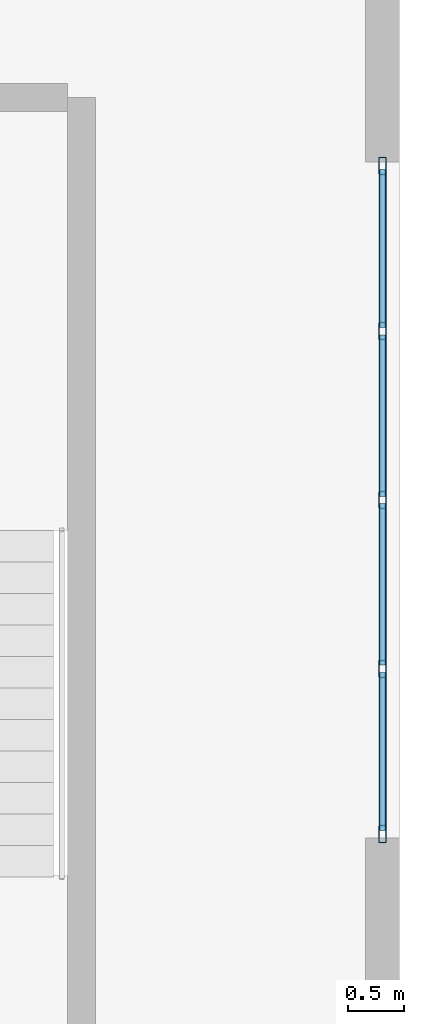
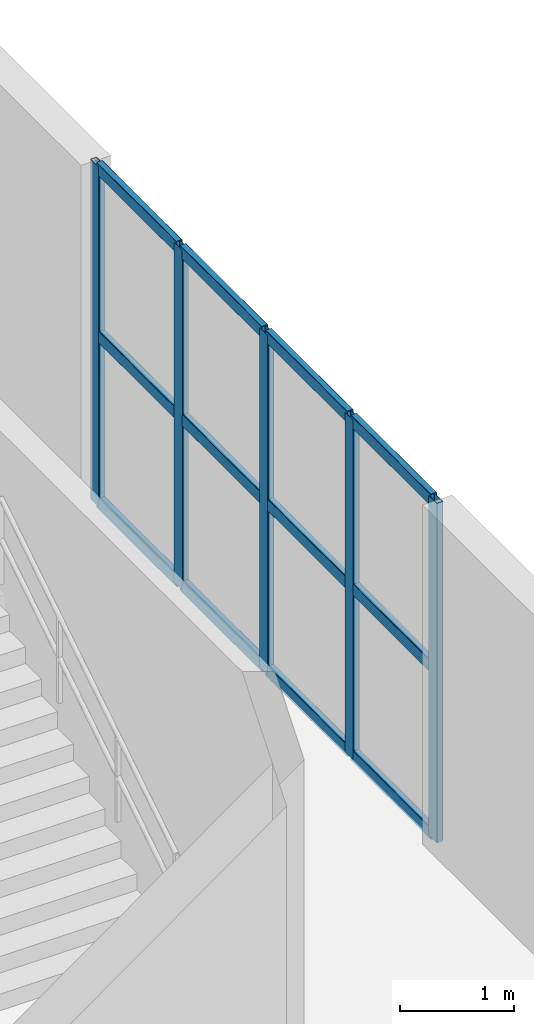
# One storey, part 2 of 6: 17 members, 1 element without a shape of its own.
"""IFC4 building model written with IfcOpenShell, lengths in metres."""

from ifc_helpers import new_model, entity, si_unit, converted_unit, direction, frame, origin_with_axes, origin_2d_with_axis, place, context, subcontext, project, spatial, hollow_rectangle, extrude, material, material_profile, profile_set, type_object, element, aggregate, save


model = new_model("IFC4")

# Units and contexts
model_context = context("Model", 3, precision=1e-05, world=origin_with_axes(), true_north=direction((0.0, 1.0)))
body_context = subcontext(model_context, "Body", "Model", "MODEL_VIEW")
ifc_project = project(units=[si_unit("LENGTHUNIT", "METRE"), si_unit("AREAUNIT", "SQUARE_METRE"), si_unit("VOLUMEUNIT", "CUBIC_METRE"), converted_unit("PLANEANGLEUNIT", "DEGREE", entity("IfcPlaneAngleMeasure", 0.017453292519943295), si_unit("PLANEANGLEUNIT", "RADIAN"), dimensions=[0, 0, 0, 0, 0, 0, 0]), si_unit("MASSUNIT", "GRAM", prefix="KILO"), si_unit("THERMODYNAMICTEMPERATUREUNIT", "KELVIN")], contexts=[model_context])

# Site, building, storey
site_placement = place(None, origin_with_axes())
site = spatial("IfcSite", under=ifc_project, at=site_placement, CompositionType="ELEMENT")
building_placement = place(site_placement, origin_with_axes())
building = spatial("IfcBuilding", under=site, at=building_placement, Name="Varnlund Millrace Tower", CompositionType="ELEMENT")
storey_placement = place(building_placement, frame((0.0, 0.0, 324.3), z_axis=(0.0, 0.0, 1.0), x_axis=(1.0, 0.0, 0.0)))
storey = spatial("IfcBuildingStorey", under=building, at=storey_placement, Name="L80", CompositionType="ELEMENT", Elevation=324.3)

# Curtain wall, members
ifc_material_1 = material(Name="Thermally broken architectural bronze curtain wall", Category="aluminium")
curtain_wall_type = type_object("IfcCurtainWallType", Name="Type-CW-Sys7-CrownLantern", PredefinedType="NOTDEFINED", material=ifc_material_1)
curtain_wall_placement = place(storey_placement, frame((30.45, 37.0, 0.0), z_axis=(0.0, 0.0, 1.0), x_axis=(1.0, 0.0, 0.0)))
curtain_wall = element("IfcCurtainWall", 1, at=curtain_wall_placement, inside=storey, type_object=curtain_wall_type, Name="Type-CW-Sys7-CrownLantern", PredefinedType="NOTDEFINED")
ifc_material_2 = material(Name="Architectural bronze aluminium alloy 6063-T6", Category="aluminium")
ifc_material_profile_1 = material_profile(ifc_material_2, hollow_rectangle(XDim=0.065, YDim=0.155, WallThickness=0.0045, InnerFilletRadius=0.004, OuterFilletRadius=0.009, at=origin_2d_with_axis()), Name="Architectural bronze aluminium alloy 6063-T6")
ifc_profile_set_1 = profile_set([ifc_material_profile_1], Name="Architectural bronze aluminium alloy 6063-T6")
member_type_1 = type_object("IfcMemberType", Name="Type-CW-Mullion-65X155", PredefinedType="MULLION", material=ifc_profile_set_1)
member_1_placement = place(storey_placement, frame((30.45, 36.9675, 0.0), z_axis=(0.0, 0.0, 1.0), x_axis=(1.0, 0.0, 0.0)))
member_1 = element("IfcMember", 2, at=member_1_placement, type_object=member_type_1, Name="CW-07 mullion 1", PredefinedType="MULLION", context=body_context, shape_type="SweptSolid", body=[
    extrude(hollow_rectangle(XDim=0.065, YDim=0.155, WallThickness=0.0045, InnerFilletRadius=0.004, OuterFilletRadius=0.009, at=origin_2d_with_axis()), origin_with_axes(), (0.0, 0.0, 1.0), 3.64),
])
member_2_placement = place(storey_placement, frame((30.45, 35.5, 0.0), z_axis=(0.0, 0.0, 1.0), x_axis=(1.0, 0.0, 0.0)))
member_2 = element("IfcMember", 3, at=member_2_placement, type_object=member_type_1, Name="CW-07 mullion 2", PredefinedType="MULLION", context=body_context, shape_type="SweptSolid", body=[
    extrude(hollow_rectangle(XDim=0.065, YDim=0.155, WallThickness=0.0045, InnerFilletRadius=0.004, OuterFilletRadius=0.009, at=origin_2d_with_axis()), origin_with_axes(), (0.0, 0.0, 1.0), 3.64),
])
member_3_placement = place(storey_placement, frame((30.45, 34.0, 0.0), z_axis=(0.0, 0.0, 1.0), x_axis=(1.0, 0.0, 0.0)))
member_3 = element("IfcMember", 4, at=member_3_placement, type_object=member_type_1, Name="CW-07 mullion 3", PredefinedType="MULLION", context=body_context, shape_type="SweptSolid", body=[
    extrude(hollow_rectangle(XDim=0.065, YDim=0.155, WallThickness=0.0045, InnerFilletRadius=0.004, OuterFilletRadius=0.009, at=origin_2d_with_axis()), origin_with_axes(), (0.0, 0.0, 1.0), 3.64),
])
member_4_placement = place(storey_placement, frame((30.45, 32.5, 0.0), z_axis=(0.0, 0.0, 1.0), x_axis=(1.0, 0.0, 0.0)))
member_4 = element("IfcMember", 5, at=member_4_placement, type_object=member_type_1, Name="CW-07 mullion 4", PredefinedType="MULLION", context=body_context, shape_type="SweptSolid", body=[
    extrude(hollow_rectangle(XDim=0.065, YDim=0.155, WallThickness=0.0045, InnerFilletRadius=0.004, OuterFilletRadius=0.009, at=origin_2d_with_axis()), origin_with_axes(), (0.0, 0.0, 1.0), 3.64),
])
member_5_placement = place(storey_placement, frame((30.45, 31.0325, 0.0), z_axis=(0.0, 0.0, 1.0), x_axis=(1.0, 0.0, 0.0)))
member_5 = element("IfcMember", 6, at=member_5_placement, type_object=member_type_1, Name="CW-07 mullion 5", PredefinedType="MULLION", context=body_context, shape_type="SweptSolid", body=[
    extrude(hollow_rectangle(XDim=0.065, YDim=0.155, WallThickness=0.0045, InnerFilletRadius=0.004, OuterFilletRadius=0.009, at=origin_2d_with_axis()), origin_with_axes(), (0.0, 0.0, 1.0), 3.64),
])
ifc_material_profile_2 = material_profile(ifc_material_2, hollow_rectangle(XDim=0.065, YDim=0.13, WallThickness=0.0045, InnerFilletRadius=0.004, OuterFilletRadius=0.009, at=origin_2d_with_axis()), Name="Architectural bronze aluminium alloy 6063-T6")
ifc_profile_set_2 = profile_set([ifc_material_profile_2], Name="Architectural bronze aluminium alloy 6063-T6")
member_type_2 = type_object("IfcMemberType", Name="Type-CW-Transom-65X130", PredefinedType="USERDEFINED", material=ifc_profile_set_2)
member_6_placement = place(storey_placement, frame((30.45, 36.935, 0.0325), z_axis=(0.0, -1.0, 0.0), x_axis=(1.0, 0.0, 0.0)))
member_6 = element("IfcMember", 7, at=member_6_placement, type_object=member_type_2, Name="CW-07 transom 1.1", ObjectType="TRANSOM", PredefinedType="USERDEFINED", context=body_context, shape_type="SweptSolid", body=[
    extrude(hollow_rectangle(XDim=0.065, YDim=0.13, WallThickness=0.0045, InnerFilletRadius=0.004, OuterFilletRadius=0.009, at=origin_2d_with_axis()), origin_with_axes(), (0.0, 0.0, 1.0), 1.4025),
])
member_7_placement = place(storey_placement, frame((30.45, 36.935, 1.82), z_axis=(0.0, -1.0, 0.0), x_axis=(1.0, 0.0, 0.0)))
member_7 = element("IfcMember", 8, at=member_7_placement, type_object=member_type_2, Name="CW-07 transom 1.2", ObjectType="TRANSOM", PredefinedType="USERDEFINED", context=body_context, shape_type="SweptSolid", body=[
    extrude(hollow_rectangle(XDim=0.065, YDim=0.13, WallThickness=0.0045, InnerFilletRadius=0.004, OuterFilletRadius=0.009, at=origin_2d_with_axis()), origin_with_axes(), (0.0, 0.0, 1.0), 1.4025),
])
member_8_placement = place(storey_placement, frame((30.45, 36.935, 3.6075), z_axis=(0.0, -1.0, 0.0), x_axis=(1.0, 0.0, 0.0)))
member_8 = element("IfcMember", 9, at=member_8_placement, type_object=member_type_2, Name="CW-07 transom 1.3", ObjectType="TRANSOM", PredefinedType="USERDEFINED", context=body_context, shape_type="SweptSolid", body=[
    extrude(hollow_rectangle(XDim=0.065, YDim=0.13, WallThickness=0.0045, InnerFilletRadius=0.004, OuterFilletRadius=0.009, at=origin_2d_with_axis()), origin_with_axes(), (0.0, 0.0, 1.0), 1.4025),
])
member_9_placement = place(storey_placement, frame((30.45, 35.4675, 0.0325), z_axis=(0.0, -1.0, 0.0), x_axis=(1.0, 0.0, 0.0)))
member_9 = element("IfcMember", 10, at=member_9_placement, type_object=member_type_2, Name="CW-07 transom 2.1", ObjectType="TRANSOM", PredefinedType="USERDEFINED", context=body_context, shape_type="SweptSolid", body=[
    extrude(hollow_rectangle(XDim=0.065, YDim=0.13, WallThickness=0.0045, InnerFilletRadius=0.004, OuterFilletRadius=0.009, at=origin_2d_with_axis()), origin_with_axes(), (0.0, 0.0, 1.0), 1.435),
])
member_10_placement = place(storey_placement, frame((30.45, 35.4675, 1.82), z_axis=(0.0, -1.0, 0.0), x_axis=(1.0, 0.0, 0.0)))
member_10 = element("IfcMember", 11, at=member_10_placement, type_object=member_type_2, Name="CW-07 transom 2.2", ObjectType="TRANSOM", PredefinedType="USERDEFINED", context=body_context, shape_type="SweptSolid", body=[
    extrude(hollow_rectangle(XDim=0.065, YDim=0.13, WallThickness=0.0045, InnerFilletRadius=0.004, OuterFilletRadius=0.009, at=origin_2d_with_axis()), origin_with_axes(), (0.0, 0.0, 1.0), 1.435),
])
member_11_placement = place(storey_placement, frame((30.45, 35.4675, 3.6075), z_axis=(0.0, -1.0, 0.0), x_axis=(1.0, 0.0, 0.0)))
member_11 = element("IfcMember", 12, at=member_11_placement, type_object=member_type_2, Name="CW-07 transom 2.3", ObjectType="TRANSOM", PredefinedType="USERDEFINED", context=body_context, shape_type="SweptSolid", body=[
    extrude(hollow_rectangle(XDim=0.065, YDim=0.13, WallThickness=0.0045, InnerFilletRadius=0.004, OuterFilletRadius=0.009, at=origin_2d_with_axis()), origin_with_axes(), (0.0, 0.0, 1.0), 1.435),
])
member_12_placement = place(storey_placement, frame((30.45, 33.9675, 0.0325), z_axis=(0.0, -1.0, 0.0), x_axis=(1.0, 0.0, 0.0)))
member_12 = element("IfcMember", 13, at=member_12_placement, type_object=member_type_2, Name="CW-07 transom 3.1", ObjectType="TRANSOM", PredefinedType="USERDEFINED", context=body_context, shape_type="SweptSolid", body=[
    extrude(hollow_rectangle(XDim=0.065, YDim=0.13, WallThickness=0.0045, InnerFilletRadius=0.004, OuterFilletRadius=0.009, at=origin_2d_with_axis()), origin_with_axes(), (0.0, 0.0, 1.0), 1.435),
])
member_13_placement = place(storey_placement, frame((30.45, 33.9675, 1.82), z_axis=(0.0, -1.0, 0.0), x_axis=(1.0, 0.0, 0.0)))
member_13 = element("IfcMember", 14, at=member_13_placement, type_object=member_type_2, Name="CW-07 transom 3.2", ObjectType="TRANSOM", PredefinedType="USERDEFINED", context=body_context, shape_type="SweptSolid", body=[
    extrude(hollow_rectangle(XDim=0.065, YDim=0.13, WallThickness=0.0045, InnerFilletRadius=0.004, OuterFilletRadius=0.009, at=origin_2d_with_axis()), origin_with_axes(), (0.0, 0.0, 1.0), 1.435),
])
member_14_placement = place(storey_placement, frame((30.45, 33.9675, 3.6075), z_axis=(0.0, -1.0, 0.0), x_axis=(1.0, 0.0, 0.0)))
member_14 = element("IfcMember", 15, at=member_14_placement, type_object=member_type_2, Name="CW-07 transom 3.3", ObjectType="TRANSOM", PredefinedType="USERDEFINED", context=body_context, shape_type="SweptSolid", body=[
    extrude(hollow_rectangle(XDim=0.065, YDim=0.13, WallThickness=0.0045, InnerFilletRadius=0.004, OuterFilletRadius=0.009, at=origin_2d_with_axis()), origin_with_axes(), (0.0, 0.0, 1.0), 1.435),
])
member_15_placement = place(storey_placement, frame((30.45, 32.4675, 0.0325), z_axis=(0.0, -1.0, 0.0), x_axis=(1.0, 0.0, 0.0)))
member_15 = element("IfcMember", 16, at=member_15_placement, type_object=member_type_2, Name="CW-07 transom 4.1", ObjectType="TRANSOM", PredefinedType="USERDEFINED", context=body_context, shape_type="SweptSolid", body=[
    extrude(hollow_rectangle(XDim=0.065, YDim=0.13, WallThickness=0.0045, InnerFilletRadius=0.004, OuterFilletRadius=0.009, at=origin_2d_with_axis()), origin_with_axes(), (0.0, 0.0, 1.0), 1.4025),
])
member_16_placement = place(storey_placement, frame((30.45, 32.4675, 1.82), z_axis=(0.0, -1.0, 0.0), x_axis=(1.0, 0.0, 0.0)))
member_16 = element("IfcMember", 17, at=member_16_placement, type_object=member_type_2, Name="CW-07 transom 4.2", ObjectType="TRANSOM", PredefinedType="USERDEFINED", context=body_context, shape_type="SweptSolid", body=[
    extrude(hollow_rectangle(XDim=0.065, YDim=0.13, WallThickness=0.0045, InnerFilletRadius=0.004, OuterFilletRadius=0.009, at=origin_2d_with_axis()), origin_with_axes(), (0.0, 0.0, 1.0), 1.4025),
])
member_17_placement = place(storey_placement, frame((30.45, 32.4675, 3.6075), z_axis=(0.0, -1.0, 0.0), x_axis=(1.0, 0.0, 0.0)))
member_17 = element("IfcMember", 18, at=member_17_placement, type_object=member_type_2, Name="CW-07 transom 4.3", ObjectType="TRANSOM", PredefinedType="USERDEFINED", context=body_context, shape_type="SweptSolid", body=[
    extrude(hollow_rectangle(XDim=0.065, YDim=0.13, WallThickness=0.0045, InnerFilletRadius=0.004, OuterFilletRadius=0.009, at=origin_2d_with_axis()), origin_with_axes(), (0.0, 0.0, 1.0), 1.4025),
])
aggregate(curtain_wall, [member_1, member_2, member_3, member_4, member_5, member_6, member_7, member_8, member_9, member_10, member_11, member_12, member_13, member_14, member_15, member_16, member_17])

save(model, "model.ifc")
